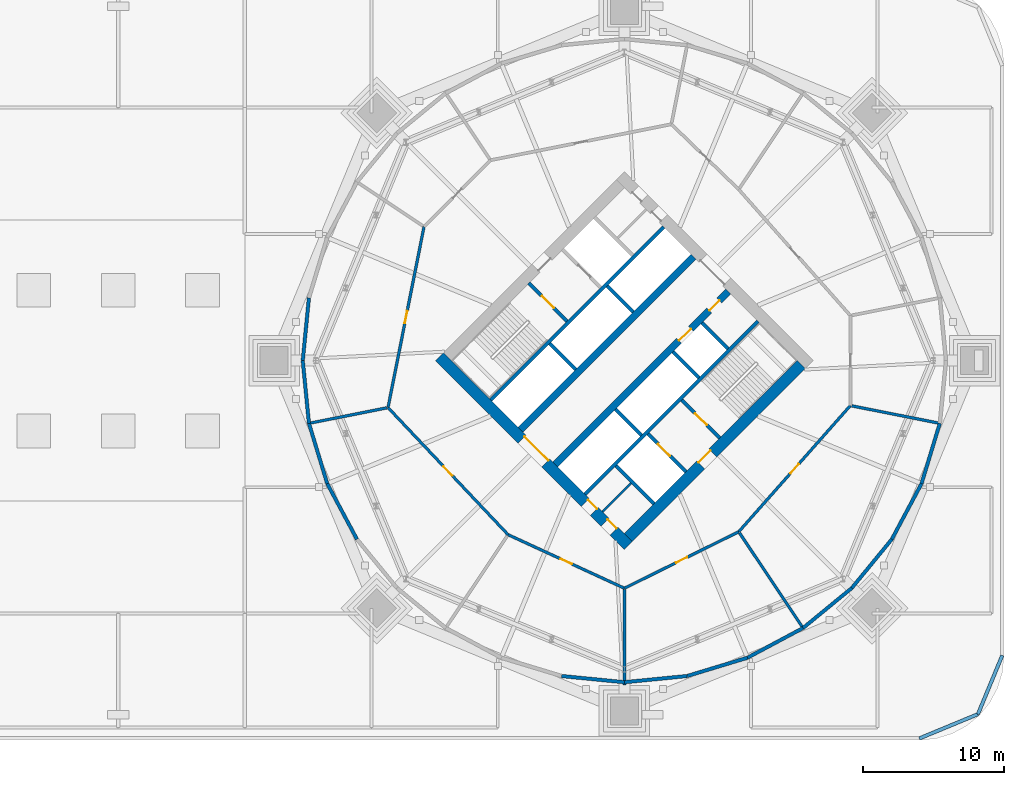
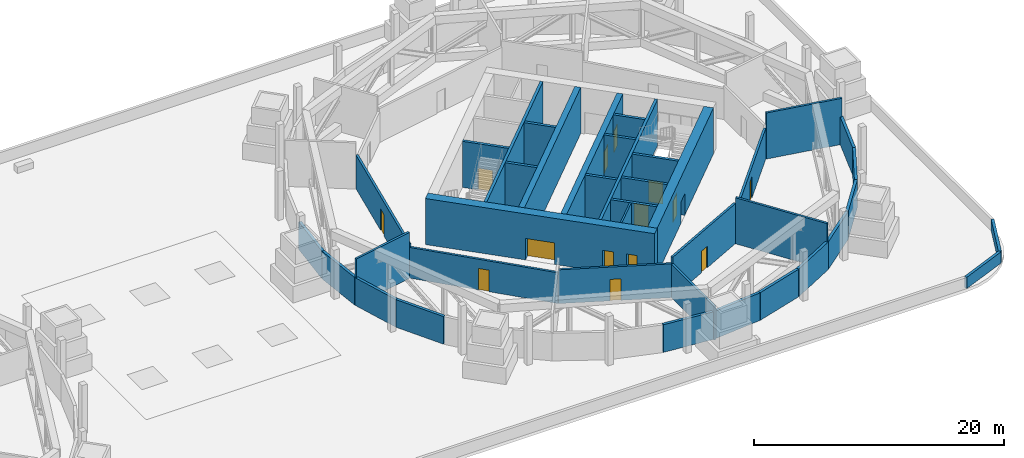
# One storey, part 15 of 21: 39 walls, 14 doors, 14 openings.
"""IFC4 building model written with IfcOpenShell, lengths in metres."""

from ifc_helpers import new_model, si_unit, direction, frame, frame_2d, origin, place, context, subcontext, project, spatial, rectangle, extrude, material, layer, layer_set, type_object, element, fill, save


model = new_model("IFC4")

# Units and contexts
model_context = context("Model", 3, precision=1e-05, world=origin(), true_north=direction((0.0, 1.0)))
body_context = subcontext(model_context, "Body", "Model", "MODEL_VIEW")
ifc_project = project(units=[si_unit("LENGTHUNIT", "METRE"), si_unit("AREAUNIT", "SQUARE_METRE"), si_unit("VOLUMEUNIT", "CUBIC_METRE"), si_unit("PLANEANGLEUNIT", "RADIAN"), si_unit("MASSUNIT", "GRAM", prefix="KILO")], contexts=[model_context])

# Site, building, storey
site_placement = place(None, origin())
site = spatial("IfcSite", under=ifc_project, at=site_placement, CompositionType="ELEMENT")
building_placement = place(site_placement, origin())
building = spatial("IfcBuilding", under=site, at=building_placement, Name="Ogive Gate Towers", CompositionType="ELEMENT")
storey_placement = place(building_placement, frame((0.0, 0.0, 27.60009765625)))
storey = spatial("IfcBuildingStorey", under=building, at=storey_placement, Name="L05", CompositionType="ELEMENT", Elevation=27.60009765625)

# Walls
ifc_material_1 = material(Name="Fire-rated block compartment wall")
ifc_layer_1 = layer(ifc_material_1, 0.199951171875)
ifc_layer_set_1 = layer_set([ifc_layer_1], Name="Compartment wall 200")
wall_type_1 = type_object("IfcWallType", Name="Compartment wall 200", PredefinedType="PARTITIONING", material=ifc_layer_set_1)
wall_1_placement = place(storey_placement, frame((13.54052734375, -4.467529296875, 0.0), z_axis=(0.0, 0.0, 1.0), x_axis=(0.980785889275, 0.195087260988, 0.0)))
element("IfcWall", 1, at=wall_1_placement, inside=storey, type_object=wall_type_1, Name="Partition T2-L05-006", PredefinedType="PARTITIONING", context=body_context, shape_type="SweptSolid", body=[
    extrude(rectangle(XDim=5.658935546875, YDim=0.199951171875, at=frame_2d((2.82958984375, 0.0))), origin(), (0.0, 0.0, 1.0), 4.5),
])
wall_2_placement = place(storey_placement, frame((36.0, -23.080078125, 0.0), z_axis=(0.0, 0.0, 1.0), x_axis=(0.0, 1.0, 0.0)))
element("IfcWall", 2, at=wall_2_placement, inside=storey, type_object=wall_type_1, Name="Partition T2-L05-008", PredefinedType="PARTITIONING", context=body_context, shape_type="SweptSolid", body=[
    extrude(rectangle(XDim=6.78955078125, YDim=0.199951171875, at=frame_2d((3.394775390625, 0.0))), origin(), (0.0, 0.0, 1.0), 3.2998046875),
])
wall_3_placement = place(storey_placement, frame((48.722412109375, -19.040283203125, 0.0), z_axis=(0.0, 0.0, 1.0), x_axis=(-0.555576856698, 0.831465186464, 0.0)))
element("IfcWall", 3, at=wall_3_placement, inside=storey, type_object=wall_type_1, Name="Partition T2-L05-009", PredefinedType="PARTITIONING", context=body_context, shape_type="SweptSolid", body=[
    extrude(rectangle(XDim=8.158935546875, YDim=0.199951171875, at=frame_2d((4.07958984375, 0.0))), origin(), (0.0, 0.0, 1.0), 4.5),
])
wall_4_placement = place(storey_placement, frame((58.45947265625, -4.467529296875, 0.0), z_axis=(0.0, 0.0, 1.0), x_axis=(-0.980788171944, 0.195075784694, 0.0)))
element("IfcWall", 4, at=wall_4_placement, inside=storey, type_object=wall_type_1, Name="Partition T2-L05-010", PredefinedType="PARTITIONING", context=body_context, shape_type="SweptSolid", body=[
    extrude(rectangle(XDim=6.408935546875, YDim=0.199951171875, at=frame_2d((3.20458984375, 0.0))), origin(), (0.0, 0.0, 1.0), 4.5),
])

# Wall, opening, door
wall_5_placement = place(storey_placement, frame((21.748291015625, 9.522705078125, 0.0), z_axis=(0.0, 0.0, 1.0), x_axis=(-0.195088897296, -0.980785563797, 0.0)))
wall_5 = element("IfcWall", 5, at=wall_5_placement, inside=storey, type_object=wall_type_1, Name="Partition T2-L05-015", PredefinedType="PARTITIONING", context=body_context, shape_type="SweptSolid", body=[
    extrude(rectangle(XDim=13.11865234375, YDim=0.199951171875, at=frame_2d((6.559326171875, 0.0))), origin(), (0.0, 0.0, 1.0), 3.2998046875),
])
opening_1_placement = place(wall_5_placement, frame((6.10888671875, 0.0, 0.0)))
opening_1 = element("IfcOpeningElement", 6, at=opening_1_placement, cuts=wall_5, Name="Opening T2-L05-D05", PredefinedType="OPENING", context=body_context, shape_type="SweptSolid", body=[
    extrude(rectangle(XDim=0.89990234375, YDim=2.10009765625, at=frame_2d((0.449951171875, 1.050048828125))), frame((0.0, 0.10986328125, 0.0), z_axis=(0.0, -1.0, 0.0), x_axis=(1.0, 0.0, 0.0)), (0.0, 0.0, 1.0), 0.219970703125),
])
ifc_material_2 = material(Name="Steel fire door", Category="steel")
door_type_1 = type_object("IfcDoorType", Name="Fire door 900 FD30S", OperationType="NOTDEFINED", PredefinedType="DOOR", material=ifc_material_2)
door_1_placement = place(opening_1_placement, origin())
door_1 = element("IfcDoor", 7, at=door_1_placement, inside=storey, type_object=door_type_1, Name="Door T2-L05-D05", OperationType="SINGLE_SWING_LEFT", OverallHeight=2.10009765625, OverallWidth=0.89990234375, PredefinedType="DOOR", context=body_context, shape_type="SweptSolid", body=[
    extrude(rectangle(XDim=0.89990234375, YDim=2.10009765625, at=frame_2d((0.449951171875, 1.050048828125))), frame((0.0, 0.02490234375, 0.0), z_axis=(0.0, -1.0, 0.0), x_axis=(1.0, 0.0, 0.0)), (0.0, 0.0, 1.0), 0.050048828125),
])
fill(opening_1, door_1)

wall_6_placement = place(storey_placement, frame((19.18896484375, -3.343994140625, 0.0), z_axis=(0.0, 0.0, 1.0), x_axis=(0.686763061189, -0.726881350556, 0.0)))
wall_6 = element("IfcWall", 8, at=wall_6_placement, inside=storey, type_object=wall_type_1, Name="Partition T2-L05-016", PredefinedType="PARTITIONING", context=body_context, shape_type="SweptSolid", body=[
    extrude(rectangle(XDim=12.4326171875, YDim=0.199951171875, at=frame_2d((6.21630859375, 0.0))), origin(), (0.0, 0.0, 1.0), 3.0),
])
opening_2_placement = place(wall_6_placement, frame((5.76611328125, 0.0, 0.0)))
opening_2 = element("IfcOpeningElement", 9, at=opening_2_placement, cuts=wall_6, Name="Opening T2-L05-D06", PredefinedType="OPENING", context=body_context, shape_type="SweptSolid", body=[
    extrude(rectangle(XDim=0.89990234375, YDim=2.10009765625, at=frame_2d((0.449951171875, 1.050048828125))), frame((0.0, 0.10986328125, 0.0), z_axis=(0.0, -1.0, 0.0), x_axis=(1.0, 0.0, 0.0)), (0.0, 0.0, 1.0), 0.219970703125),
])
door_2_placement = place(opening_2_placement, origin())
door_2 = element("IfcDoor", 10, at=door_2_placement, inside=storey, type_object=door_type_1, Name="Door T2-L05-D06", OperationType="SINGLE_SWING_LEFT", OverallHeight=2.10009765625, OverallWidth=0.89990234375, PredefinedType="DOOR", context=body_context, shape_type="SweptSolid", body=[
    extrude(rectangle(XDim=0.89990234375, YDim=2.10009765625, at=frame_2d((0.449951171875, 1.050048828125))), frame((0.0, 0.02490234375, 0.0), z_axis=(0.0, -1.0, 0.0), x_axis=(1.0, 0.0, 0.0)), (0.0, 0.0, 1.0), 0.050048828125),
])
fill(opening_2, door_2)

wall_7_placement = place(storey_placement, frame((27.727294921875, -12.381103515625, 0.0), z_axis=(0.0, 0.0, 1.0), x_axis=(0.908328564952, -0.418257358682, 0.0)))
wall_7 = element("IfcWall", 11, at=wall_7_placement, inside=storey, type_object=wall_type_1, Name="Partition T2-L05-017", PredefinedType="PARTITIONING", context=body_context, shape_type="SweptSolid", body=[
    extrude(rectangle(XDim=9.107666015625, YDim=0.199951171875, at=frame_2d((4.5537109375, 0.0))), origin(), (0.0, 0.0, 1.0), 3.2998046875),
])
opening_3_placement = place(wall_7_placement, frame((4.10400390625, 0.0, 0.0)))
opening_3 = element("IfcOpeningElement", 12, at=opening_3_placement, cuts=wall_7, Name="Opening T2-L05-D07", PredefinedType="OPENING", context=body_context, shape_type="SweptSolid", body=[
    extrude(rectangle(XDim=0.89990234375, YDim=2.10009765625, at=frame_2d((0.449951171875, 1.050048828125))), frame((0.0, 0.10986328125, 0.0), z_axis=(0.0, -1.0, 0.0), x_axis=(1.0, 0.0, 0.0)), (0.0, 0.0, 1.0), 0.219970703125),
])
door_3_placement = place(opening_3_placement, origin())
door_3 = element("IfcDoor", 13, at=door_3_placement, inside=storey, type_object=door_type_1, Name="Door T2-L05-D07", OperationType="SINGLE_SWING_LEFT", OverallHeight=2.10009765625, OverallWidth=0.89990234375, PredefinedType="DOOR", context=body_context, shape_type="SweptSolid", body=[
    extrude(rectangle(XDim=0.89990234375, YDim=2.10009765625, at=frame_2d((0.449951171875, 1.050048828125))), frame((0.0, 0.02490234375, 0.0), z_axis=(0.0, -1.0, 0.0), x_axis=(1.0, 0.0, 0.0)), (0.0, 0.0, 1.0), 0.050048828125),
])
fill(opening_3, door_3)

wall_8_placement = place(storey_placement, frame((36.0, -16.1904296875, 0.0), z_axis=(0.0, 0.0, 1.0), x_axis=(0.89660177117, 0.442837739963, 0.0)))
wall_8 = element("IfcWall", 14, at=wall_8_placement, inside=storey, type_object=wall_type_1, Name="Partition T2-L05-018", PredefinedType="PARTITIONING", context=body_context, shape_type="SweptSolid", body=[
    extrude(rectangle(XDim=9.07177734375, YDim=0.199951171875, at=frame_2d((4.535888671875, 0.0))), origin(), (0.0, 0.0, 1.0), 3.909912109375),
])
opening_4_placement = place(wall_8_placement, frame((4.0859375, 0.0, 0.0)))
opening_4 = element("IfcOpeningElement", 15, at=opening_4_placement, cuts=wall_8, Name="Opening T2-L05-D08", PredefinedType="OPENING", context=body_context, shape_type="SweptSolid", body=[
    extrude(rectangle(XDim=0.89990234375, YDim=2.10009765625, at=frame_2d((0.449951171875, 1.050048828125))), frame((0.0, 0.10986328125, 0.0), z_axis=(0.0, -1.0, 0.0), x_axis=(1.0, 0.0, 0.0)), (0.0, 0.0, 1.0), 0.219970703125),
])
door_4_placement = place(opening_4_placement, origin())
door_4 = element("IfcDoor", 16, at=door_4_placement, inside=storey, type_object=door_type_1, Name="Door T2-L05-D08", OperationType="SINGLE_SWING_RIGHT", OverallHeight=2.10009765625, OverallWidth=0.89990234375, PredefinedType="DOOR", context=body_context, shape_type="SweptSolid", body=[
    extrude(rectangle(XDim=0.89990234375, YDim=2.10009765625, at=frame_2d((0.449951171875, 1.050048828125))), frame((0.0, 0.02490234375, 0.0), z_axis=(0.0, -1.0, 0.0), x_axis=(1.0, 0.0, 0.0)), (0.0, 0.0, 1.0), 0.050048828125),
])
fill(opening_4, door_4)

wall_9_placement = place(storey_placement, frame((44.1337890625, -12.173095703125, 0.0), z_axis=(0.0, 0.0, 1.0), x_axis=(0.662653875427, 0.748925791638, 0.0)))
wall_9 = element("IfcWall", 17, at=wall_9_placement, inside=storey, type_object=wall_type_1, Name="Partition T2-L05-019", PredefinedType="PARTITIONING", context=body_context, shape_type="SweptSolid", body=[
    extrude(rectangle(XDim=11.984619140625, YDim=0.199951171875, at=frame_2d((5.9921875, 0.0))), origin(), (0.0, 0.0, 1.0), 3.0),
])
opening_5_placement = place(wall_9_placement, frame((5.5419921875, 0.0, 0.0)))
opening_5 = element("IfcOpeningElement", 18, at=opening_5_placement, cuts=wall_9, Name="Opening T2-L05-D09", PredefinedType="OPENING", context=body_context, shape_type="SweptSolid", body=[
    extrude(rectangle(XDim=0.89990234375, YDim=2.10009765625, at=frame_2d((0.449951171875, 1.050048828125))), frame((0.0, 0.10986328125, 0.0), z_axis=(0.0, -1.0, 0.0), x_axis=(1.0, 0.0, 0.0)), (0.0, 0.0, 1.0), 0.219970703125),
])
door_5_placement = place(opening_5_placement, origin())
door_5 = element("IfcDoor", 19, at=door_5_placement, inside=storey, type_object=door_type_1, Name="Door T2-L05-D09", OperationType="SINGLE_SWING_RIGHT", OverallHeight=2.10009765625, OverallWidth=0.89990234375, PredefinedType="DOOR", context=body_context, shape_type="SweptSolid", body=[
    extrude(rectangle(XDim=0.89990234375, YDim=2.10009765625, at=frame_2d((0.449951171875, 1.050048828125))), frame((0.0, 0.02490234375, 0.0), z_axis=(0.0, -1.0, 0.0), x_axis=(1.0, 0.0, 0.0)), (0.0, 0.0, 1.0), 0.050048828125),
])
fill(opening_5, door_5)

ifc_material_3 = material(Name="Concrete C60/75", Category="concrete")
ifc_layer_2 = layer(ifc_material_3, 0.800048828125)
ifc_layer_set_2 = layer_set([ifc_layer_2], Name="Core wall 800 mm")
wall_type_2 = type_object("IfcWallType", Name="Core wall 800 mm", PredefinedType="SHEAR", material=ifc_layer_set_2)
wall_10_placement = place(storey_placement, frame((36.28271484375, -12.58642578125, 0.0), z_axis=(0.0, 0.0, 1.0), x_axis=(0.707106781187, 0.707106781187, 0.0)))
wall_10 = element("IfcWall", 20, at=wall_10_placement, inside=storey, type_object=wall_type_2, Name="T2 L05 Core wall 800 mm", PredefinedType="SHEAR", context=body_context, shape_type="SweptSolid", body=[
    extrude(rectangle(XDim=17.400146484375, YDim=0.800048828125, at=frame_2d((8.7001953125, 0.0))), origin(), (0.0, 0.0, 1.0), 4.5),
])
opening_6_placement = place(wall_10_placement, frame((7.300048828125, 0.0, 0.0)))
opening_6 = element("IfcOpeningElement", 21, at=opening_6_placement, cuts=wall_10, Name="Opening KD-T2-L05-10", PredefinedType="OPENING", context=body_context, shape_type="SweptSolid", body=[
    extrude(rectangle(XDim=1.199951171875, YDim=2.10009765625, at=frame_2d((0.60009765625, 1.050048828125))), frame((0.0, 0.41015625, 0.0), z_axis=(0.0, -1.0, 0.0), x_axis=(1.0, 0.0, 0.0)), (0.0, 0.0, 1.0), 0.820068359375),
])
door_type_2 = type_object("IfcDoorType", Name="Core door FD60S 1200 x 2100", OperationType="NOTDEFINED", PredefinedType="DOOR", material=ifc_material_2)
door_6_placement = place(opening_6_placement, origin())
door_6 = element("IfcDoor", 22, at=door_6_placement, inside=storey, type_object=door_type_2, Name="T2 L05 Fire-fighting lobby door", OperationType="SINGLE_SWING_LEFT", OverallHeight=2.10009765625, OverallWidth=1.199951171875, PredefinedType="DOOR", context=body_context, shape_type="SweptSolid", body=[
    extrude(rectangle(XDim=1.199951171875, YDim=2.10009765625, at=frame_2d((0.60009765625, 1.050048828125))), frame((0.0, 0.27490234375, 0.0), z_axis=(0.0, -1.0, 0.0), x_axis=(1.0, 0.0, 0.0)), (0.0, 0.0, 1.0), 0.050048828125),
])
fill(opening_6, door_6)

# Wall, openings, doors
wall_11_placement = place(storey_placement, frame((36.28271484375, -13.152099609375, 0.0), z_axis=(0.0, 0.0, 1.0), x_axis=(-0.707106781187, 0.707106781187, 0.0)))
wall_11 = element("IfcWall", 23, at=wall_11_placement, inside=storey, type_object=wall_type_2, Name="T2 L05 Core wall 800 mm", PredefinedType="SHEAR", context=body_context, shape_type="SweptSolid", body=[
    extrude(rectangle(XDim=18.999755859375, YDim=0.800048828125, at=frame_2d((9.5, 0.0))), origin(), (0.0, 0.0, 1.0), 4.5),
])
opening_7_placement = place(wall_11_placement, frame((8.300048828125, 0.0, 0.0)))
opening_7 = element("IfcOpeningElement", 24, at=opening_7_placement, cuts=wall_11, Name="Opening KD-T2-L05-01", PredefinedType="OPENING", context=body_context, shape_type="SweptSolid", body=[
    extrude(rectangle(XDim=2.39990234375, YDim=2.10009765625, at=frame_2d((1.199951171875, 1.050048828125))), frame((0.0, 0.41015625, 0.0), z_axis=(0.0, -1.0, 0.0), x_axis=(1.0, 0.0, 0.0)), (0.0, 0.0, 1.0), 0.820068359375),
])
opening_8_placement = place(wall_11_placement, frame((1.449951171875, 0.0, 0.0)))
opening_8 = element("IfcOpeningElement", 25, at=opening_8_placement, cuts=wall_11, Name="Opening KD-T2-L05-13", PredefinedType="OPENING", context=body_context, shape_type="SweptSolid", body=[
    extrude(rectangle(XDim=0.89990234375, YDim=2.10009765625, at=frame_2d((0.449951171875, 1.050048828125))), frame((0.0, 0.41015625, 0.0), z_axis=(0.0, -1.0, 0.0), x_axis=(1.0, 0.0, 0.0)), (0.0, 0.0, 1.0), 0.820068359375),
])
opening_9_placement = place(wall_11_placement, frame((3.425048828125, 0.0, 0.0)))
opening_9 = element("IfcOpeningElement", 26, at=opening_9_placement, cuts=wall_11, Name="Opening KD-T2-L05-14", PredefinedType="OPENING", context=body_context, shape_type="SweptSolid", body=[
    extrude(rectangle(XDim=0.89990234375, YDim=2.10009765625, at=frame_2d((0.449951171875, 1.050048828125))), frame((0.0, 0.41015625, 0.0), z_axis=(0.0, -1.0, 0.0), x_axis=(1.0, 0.0, 0.0)), (0.0, 0.0, 1.0), 0.820068359375),
])
door_type_3 = type_object("IfcDoorType", Name="Core door FD60S 900 x 2100", OperationType="NOTDEFINED", PredefinedType="DOOR", material=ifc_material_2)
door_7_placement = place(opening_8_placement, origin())
door_7 = element("IfcDoor", 27, at=door_7_placement, inside=storey, type_object=door_type_3, Name="T2 L05 Core door", OperationType="SINGLE_SWING_RIGHT", OverallHeight=2.10009765625, OverallWidth=0.89990234375, PredefinedType="DOOR", context=body_context, shape_type="SweptSolid", body=[
    extrude(rectangle(XDim=0.89990234375, YDim=2.10009765625, at=frame_2d((0.449951171875, 1.050048828125))), frame((0.0, -0.22509765625, 0.0), z_axis=(0.0, -1.0, 0.0), x_axis=(1.0, 0.0, 0.0)), (0.0, 0.0, 1.0), 0.050048828125),
])
fill(opening_8, door_7)
door_8_placement = place(opening_9_placement, origin())
door_8 = element("IfcDoor", 28, at=door_8_placement, inside=storey, type_object=door_type_3, Name="T2 L05 Core door", OperationType="SINGLE_SWING_LEFT", OverallHeight=2.10009765625, OverallWidth=0.89990234375, PredefinedType="DOOR", context=body_context, shape_type="SweptSolid", body=[
    extrude(rectangle(XDim=0.89990234375, YDim=2.10009765625, at=frame_2d((0.449951171875, 1.050048828125))), frame((0.0, -0.22509765625, 0.0), z_axis=(0.0, -1.0, 0.0), x_axis=(1.0, 0.0, 0.0)), (0.0, 0.0, 1.0), 0.050048828125),
])
fill(opening_9, door_8)
door_type_4 = type_object("IfcDoorType", Name="Core double door FD60S 2400 x 2100", OperationType="DOUBLE_DOOR_SINGLE_SWING", PredefinedType="DOOR", material=ifc_material_2)
door_9_placement = place(opening_7_placement, origin())
door_9 = element("IfcDoor", 29, at=door_9_placement, inside=storey, type_object=door_type_4, Name="T2 L05 Core door double", OperationType="DOUBLE_DOOR_SINGLE_SWING", OverallHeight=2.10009765625, OverallWidth=2.39990234375, PredefinedType="DOOR", context=body_context, shape_type="SweptSolid", body=[
    extrude(rectangle(XDim=2.39990234375, YDim=2.10009765625, at=frame_2d((1.199951171875, 1.050048828125))), frame((0.0, -0.22509765625, 0.0), z_axis=(0.0, -1.0, 0.0), x_axis=(1.0, 0.0, 0.0)), (0.0, 0.0, 1.0), 0.050048828125),
])
fill(opening_7, door_9)

# Walls
ifc_material_4 = material(Name="Precast concrete C40/50", Category="concrete")
ifc_layer_3 = layer(ifc_material_4, 0.25)
ifc_layer_set_3 = layer_set([ifc_layer_3], Name="Parapet wall 1100")
wall_type_3 = type_object("IfcWallType", Name="Parapet wall 1100", PredefinedType="PARAPET", material=ifc_layer_set_3)
for number, where, z_axis, x_axis, name in (
    (30, (56.97509765625, -26.875, 0.0), (0.0, 0.0, 1.0), (0.923881087602, 0.382679678022, 0.0), "Parapet wall"),
    (31, (61.14697265625, -25.14697265625, 0.0), (0.0, 0.0, 1.0), (0.382679678022, 0.923881087602, 0.0), "Parapet wall"),
):
    element("IfcWall", number, at=place(storey_placement, frame(where, z_axis=z_axis, x_axis=x_axis)), inside=storey, type_object=wall_type_3, Name=name, PredefinedType="PARAPET", context=body_context, shape_type="SweptSolid", body=[
        extrude(rectangle(XDim=4.515625, YDim=0.25, at=frame_2d((2.2578125, 0.0))), origin(), (0.0, 0.0, 1.0), 1.099853515625),
    ])
ifc_material_5 = material(Name="Pale metal aluminium louvre", Category="aluminium")
ifc_layer_4 = layer(ifc_material_5, 0.25)
ifc_layer_set_4 = layer_set([ifc_layer_4], Name="Plant louvre wall")
wall_type_4 = type_object("IfcWallType", Name="Plant louvre wall", PredefinedType="SOLIDWALL", material=ifc_layer_set_4)
for number, where, z_axis, x_axis, name in (
    (32, (13.564697265625, 4.462646484375, 0.0), (0.0, 0.0, 1.0), (-0.098053571273, -0.995181137864, 0.0), "Plant louvre wall"),
    (33, (13.125, 0.0, 0.0), (0.0, 0.0, 1.0), (0.098053571273, -0.995181137864, 0.0), "Plant louvre wall"),
    (34, (13.564697265625, -4.462646484375, 0.0), (0.0, 0.0, 1.0), (0.290288433444, -0.956939196296, 0.0), "Plant louvre wall"),
):
    element("IfcWall", number, at=place(storey_placement, frame(where, z_axis=z_axis, x_axis=x_axis)), inside=storey, type_object=wall_type_4, Name=name, PredefinedType="SOLIDWALL", context=body_context, shape_type="SweptSolid", body=[
        extrude(rectangle(XDim=4.484375, YDim=0.25, at=frame_2d((2.2421875, 0.0))), origin(), (0.0, 0.0, 1.0), 2.699951171875),
    ])
wall_12_placement = place(storey_placement, frame((14.866455078125, -8.75390625, 0.0), z_axis=(0.0, 0.0, 1.0), x_axis=(0.471396254905, -0.88192152194, 0.0)))
element("IfcWall", 35, at=wall_12_placement, inside=storey, type_object=wall_type_4, Name="Plant louvre wall", PredefinedType="SOLIDWALL", context=body_context, shape_type="SweptSolid", body=[
    extrude(rectangle(XDim=4.484130859375, YDim=0.25, at=frame_2d((2.2421875, 0.0))), origin(), (0.0, 0.0, 1.0), 2.699951171875),
])
for number, where, z_axis, x_axis, name in (
    (36, (31.537353515625, -22.435302734375, 0.0), (0.0, 0.0, 1.0), (0.995181137864, -0.098053571273, 0.0), "Plant louvre wall"),
    (37, (36.0, -22.875, 0.0), (0.0, 0.0, 1.0), (0.995181137864, 0.098053571273, 0.0), "Plant louvre wall"),
    (38, (40.462646484375, -22.435302734375, 0.0), (0.0, 0.0, 1.0), (0.956939196296, 0.290288433444, 0.0), "Plant louvre wall"),
):
    element("IfcWall", number, at=place(storey_placement, frame(where, z_axis=z_axis, x_axis=x_axis)), inside=storey, type_object=wall_type_4, Name=name, PredefinedType="SOLIDWALL", context=body_context, shape_type="SweptSolid", body=[
        extrude(rectangle(XDim=4.484375, YDim=0.25, at=frame_2d((2.2421875, 0.0))), origin(), (0.0, 0.0, 1.0), 2.699951171875),
    ])
wall_13_placement = place(storey_placement, frame((44.75390625, -21.133544921875, 0.0), z_axis=(0.0, 0.0, 1.0), x_axis=(0.88192152194, 0.471396254905, 0.0)))
element("IfcWall", 39, at=wall_13_placement, inside=storey, type_object=wall_type_4, Name="Plant louvre wall", PredefinedType="SOLIDWALL", context=body_context, shape_type="SweptSolid", body=[
    extrude(rectangle(XDim=4.484130859375, YDim=0.25, at=frame_2d((2.2421875, 0.0))), origin(), (0.0, 0.0, 1.0), 2.699951171875),
])
for number, where, z_axis, x_axis, name in (
    (40, (48.70849609375, -19.019775390625, 0.0), (0.0, 0.0, 1.0), (0.773032296155, 0.634366667709, 0.0), "Plant louvre wall"),
    (41, (52.175048828125, -16.175048828125, 0.0), (0.0, 0.0, 1.0), (0.634366667709, 0.773032296155, 0.0), "Plant louvre wall"),
):
    element("IfcWall", number, at=place(storey_placement, frame(where, z_axis=z_axis, x_axis=x_axis)), inside=storey, type_object=wall_type_4, Name=name, PredefinedType="SOLIDWALL", context=body_context, shape_type="SweptSolid", body=[
        extrude(rectangle(XDim=4.484375, YDim=0.25, at=frame_2d((2.2421875, 0.0))), origin(), (0.0, 0.0, 1.0), 2.699951171875),
    ])
wall_14_placement = place(storey_placement, frame((55.019775390625, -12.70849609375, 0.0), z_axis=(0.0, 0.0, 1.0), x_axis=(0.471396254905, 0.88192152194, 0.0)))
element("IfcWall", 42, at=wall_14_placement, inside=storey, type_object=wall_type_4, Name="Plant louvre wall", PredefinedType="SOLIDWALL", context=body_context, shape_type="SweptSolid", body=[
    extrude(rectangle(XDim=4.484130859375, YDim=0.25, at=frame_2d((2.2421875, 0.0))), origin(), (0.0, 0.0, 1.0), 2.699951171875),
])
wall_15_placement = place(storey_placement, frame((57.133544921875, -8.75390625, 0.0), z_axis=(0.0, 0.0, 1.0), x_axis=(0.290288433444, 0.956939196296, 0.0)))
element("IfcWall", 43, at=wall_15_placement, inside=storey, type_object=wall_type_4, Name="Plant louvre wall", PredefinedType="SOLIDWALL", context=body_context, shape_type="SweptSolid", body=[
    extrude(rectangle(XDim=4.484375, YDim=0.25, at=frame_2d((2.2421875, 0.0))), origin(), (0.0, 0.0, 1.0), 2.699951171875),
])
ifc_material_6 = material(Name="Gypsum board partition")
ifc_layer_5 = layer(ifc_material_6, 0.14990234375)
ifc_layer_set_5 = layer_set([ifc_layer_5], Name="Room partition 150 mm")
wall_type_5 = type_object("IfcWallType", Name="Room partition 150 mm", PredefinedType="PARTITIONING", material=ifc_layer_set_5)
wall_16_placement = place(storey_placement, frame((34.4443359375, -10.748046875, 0.0), z_axis=(0.0, 0.0, 1.0), x_axis=(0.707106781187, 0.707106781187, 0.0)))
element("IfcWall", 44, at=wall_16_placement, inside=storey, type_object=wall_type_5, Name="T2 L05 Room partition 150 mm", PredefinedType="PARTITIONING", context=body_context, shape_type="SweptSolid", body=[
    extrude(rectangle(XDim=2.875, YDim=0.14990234375, at=frame_2d((1.4375, 0.0))), origin(), (0.0, 0.0, 1.0), 4.5),
])
ifc_layer_6 = layer(ifc_material_3, 0.25)
ifc_layer_set_6 = layer_set([ifc_layer_6], Name="Shaft wall 250 mm")
wall_type_6 = type_object("IfcWallType", Name="Shaft wall 250 mm", PredefinedType="SHEAR", material=ifc_layer_set_6)
for number, where, z_axis, x_axis, name in (
    (45, (33.206787109375, -9.510498046875, 0.0), (0.0, 0.0, 1.0), (0.707106781187, 0.707106781187, 0.0), "T2 L05 Shaft wall 250 mm"),
    (46, (26.489501953125, -2.793212890625, 0.0), (0.0, 0.0, 1.0), (0.707106781187, 0.707106781187, 0.0), "T2 L05 Shaft wall 250 mm"),
):
    element("IfcWall", number, at=place(storey_placement, frame(where, z_axis=z_axis, x_axis=x_axis)), inside=storey, type_object=wall_type_6, Name=name, PredefinedType="SHEAR", context=body_context, shape_type="SweptSolid", body=[
        extrude(rectangle(XDim=17.400146484375, YDim=0.25, at=frame_2d((8.7001953125, 0.0))), origin(), (0.0, 0.0, 1.0), 4.5),
    ])
wall_17_placement = place(storey_placement, frame((38.121337890625, -10.182373046875, 0.0), z_axis=(0.0, 0.0, 1.0), x_axis=(-0.707138693938, 0.707074866995, 0.0)))
element("IfcWall", 47, at=wall_17_placement, inside=storey, type_object=wall_type_6, Name="T2 L05 Shaft wall 250 mm", PredefinedType="SHEAR", context=body_context, shape_type="SweptSolid", body=[
    extrude(rectangle(XDim=3.824951171875, YDim=0.25, at=frame_2d((1.91259765625, 0.0))), origin(), (0.0, 0.0, 1.0), 4.5),
])
for number, where, z_axis, x_axis, name in (
    (48, (37.2197265625, -5.321044921875, 0.0), (0.0, 0.0, 1.0), (-0.707106781187, 0.707106781187, 0.0), "T2 L05 Shaft wall 250 mm"),
    (49, (32.53515625, -0.636474609375, 0.0), (0.0, 0.0, 1.0), (-0.707106781187, 0.707106781187, 0.0), "T2 L05 Shaft wall 250 mm"),
):
    element("IfcWall", number, at=place(storey_placement, frame(where, z_axis=z_axis, x_axis=x_axis)), inside=storey, type_object=wall_type_6, Name=name, PredefinedType="SHEAR", context=body_context, shape_type="SweptSolid", body=[
        extrude(rectangle(XDim=2.625, YDim=0.25, at=frame_2d((1.3125, 0.0))), origin(), (0.0, 0.0, 1.0), 4.5),
    ])

# Wall, opening, door
wall_18_placement = place(storey_placement, frame((40.384033203125, -7.919677734375, 0.0), z_axis=(0.0, 0.0, 1.0), x_axis=(-0.707074866995, 0.707138693938, 0.0)))
wall_18 = element("IfcWall", 50, at=wall_18_placement, inside=storey, type_object=wall_type_6, Name="T2 L05 Shaft wall 250 mm", PredefinedType="SHEAR", context=body_context, shape_type="SweptSolid", body=[
    extrude(rectangle(XDim=3.824951171875, YDim=0.25, at=frame_2d((1.91259765625, 0.0))), origin(), (0.0, 0.0, 1.0), 4.5),
])
opening_10_placement = place(wall_18_placement, frame((1.60009765625, 0.0, 0.0)))
opening_10 = element("IfcOpeningElement", 51, at=opening_10_placement, cuts=wall_18, Name="Opening LD-T2-L05-05", PredefinedType="OPENING", context=body_context, shape_type="SweptSolid", body=[
    extrude(rectangle(XDim=1.199951171875, YDim=2.10009765625, at=frame_2d((0.60009765625, 1.050048828125))), frame((0.0, 0.135009765625, 0.0), z_axis=(0.0, -1.0, 0.0), x_axis=(1.0, 0.0, 0.0)), (0.0, 0.0, 1.0), 0.27001953125),
])
ifc_material_7 = material(Name="Stainless steel landing door", Category="steel")
door_type_5 = type_object("IfcDoorType", Name="Landing door 1200 x 2100", OperationType="SLIDING_TO_LEFT", PredefinedType="DOOR", material=ifc_material_7)
door_10_placement = place(opening_10_placement, origin())
door_10 = element("IfcDoor", 52, at=door_10_placement, inside=storey, type_object=door_type_5, Name="T2 L05 Lift landing door FF2", OperationType="SLIDING_TO_LEFT", OverallHeight=2.10009765625, OverallWidth=1.199951171875, PredefinedType="DOOR", context=body_context, shape_type="SweptSolid", body=[
    extrude(rectangle(XDim=1.199951171875, YDim=2.10009765625, at=frame_2d((0.60009765625, 1.050048828125))), frame((0.0, 0.02490234375, 0.0), z_axis=(0.0, -1.0, 0.0), x_axis=(1.0, 0.0, 0.0)), (0.0, 0.0, 1.0), 0.050048828125),
])
fill(opening_10, door_10)

wall_19_placement = place(storey_placement, frame((31.91650390625, 2.810791015625, 0.0), z_axis=(0.0, 0.0, 1.0), x_axis=(-0.707106781187, 0.707106781187, 0.0)))
wall_19 = element("IfcWall", 53, at=wall_19_placement, inside=storey, type_object=wall_type_6, Name="T2 L05 Shaft wall 250 mm", PredefinedType="SHEAR", context=body_context, shape_type="SweptSolid", body=[
    extrude(rectangle(XDim=3.824951171875, YDim=0.25, at=frame_2d((1.91259765625, 0.0))), origin(), (0.0, 0.0, 1.0), 4.5),
])
opening_11_placement = place(wall_19_placement, frame((1.324951171875, 0.0, 0.0)))
opening_11 = element("IfcOpeningElement", 54, at=opening_11_placement, cuts=wall_19, Name="Opening KD-T2-L05-07", PredefinedType="OPENING", context=body_context, shape_type="SweptSolid", body=[
    extrude(rectangle(XDim=1.199951171875, YDim=2.10009765625, at=frame_2d((0.60009765625, 1.050048828125))), frame((0.0, 0.135009765625, 0.0), z_axis=(0.0, -1.0, 0.0), x_axis=(1.0, 0.0, 0.0)), (0.0, 0.0, 1.0), 0.27001953125),
])
door_11_placement = place(opening_11_placement, origin())
door_11 = element("IfcDoor", 55, at=door_11_placement, inside=storey, type_object=door_type_2, Name="T2 L05 Stair door", OperationType="SINGLE_SWING_RIGHT", OverallHeight=2.10009765625, OverallWidth=1.199951171875, PredefinedType="DOOR", context=body_context, shape_type="SweptSolid", body=[
    extrude(rectangle(XDim=1.199951171875, YDim=2.10009765625, at=frame_2d((0.60009765625, 1.050048828125))), frame((0.0, 0.02490234375, 0.0), z_axis=(0.0, -1.0, 0.0), x_axis=(1.0, 0.0, 0.0)), (0.0, 0.0, 1.0), 0.050048828125),
])
fill(opening_11, door_11)

wall_20_placement = place(storey_placement, frame((42.7880859375, -5.515380859375, 0.0), z_axis=(0.0, 0.0, 1.0), x_axis=(-0.707106781187, 0.707106781187, 0.0)))
wall_20 = element("IfcWall", 56, at=wall_20_placement, inside=storey, type_object=wall_type_6, Name="T2 L05 Shaft wall 250 mm", PredefinedType="SHEAR", context=body_context, shape_type="SweptSolid", body=[
    extrude(rectangle(XDim=3.824951171875, YDim=0.25, at=frame_2d((1.91259765625, 0.0))), origin(), (0.0, 0.0, 1.0), 4.5),
])
opening_12_placement = place(wall_20_placement, frame((1.300048828125, 0.0, 0.0)))
opening_12 = element("IfcOpeningElement", 57, at=opening_12_placement, cuts=wall_20, Name="Opening KD-T2-L05-08", PredefinedType="OPENING", context=body_context, shape_type="SweptSolid", body=[
    extrude(rectangle(XDim=1.199951171875, YDim=2.10009765625, at=frame_2d((0.60009765625, 1.050048828125))), frame((0.0, 0.135009765625, 0.0), z_axis=(0.0, -1.0, 0.0), x_axis=(1.0, 0.0, 0.0)), (0.0, 0.0, 1.0), 0.27001953125),
])
door_12_placement = place(opening_12_placement, origin())
door_12 = element("IfcDoor", 58, at=door_12_placement, inside=storey, type_object=door_type_2, Name="T2 L05 Stair door", OperationType="SINGLE_SWING_LEFT", OverallHeight=2.10009765625, OverallWidth=1.199951171875, PredefinedType="DOOR", context=body_context, shape_type="SweptSolid", body=[
    extrude(rectangle(XDim=1.199951171875, YDim=2.10009765625, at=frame_2d((0.60009765625, 1.050048828125))), frame((0.0, 0.02490234375, 0.0), z_axis=(0.0, -1.0, 0.0), x_axis=(1.0, 0.0, 0.0)), (0.0, 0.0, 1.0), 0.050048828125),
])
fill(opening_12, door_12)

# Walls
for number, where, z_axis, x_axis, name in (
    (59, (41.321044921875, -1.2197265625, 0.0), (0.0, 0.0, 1.0), (-0.707106781187, 0.707106781187, 0.0), "T2 L05 Shaft wall 250 mm"),
    (60, (36.636474609375, 3.46484375, 0.0), (0.0, 0.0, 1.0), (-0.707106781187, 0.707106781187, 0.0), "T2 L05 Shaft wall 250 mm"),
    (61, (43.37158203125, 0.830810546875, 0.0), (0.0, 0.0, 1.0), (-0.707106781187, 0.707106781187, 0.0), "T2 L05 Shaft wall 250 mm"),
):
    element("IfcWall", number, at=place(storey_placement, frame(where, z_axis=z_axis, x_axis=x_axis)), inside=storey, type_object=wall_type_6, Name=name, PredefinedType="SHEAR", context=body_context, shape_type="SweptSolid", body=[
        extrude(rectangle(XDim=2.625, YDim=0.25, at=frame_2d((1.3125, 0.0))), origin(), (0.0, 0.0, 1.0), 4.5),
    ])

# Wall, openings, doors
ifc_layer_7 = layer(ifc_material_3, 0.5)
ifc_layer_set_7 = layer_set([ifc_layer_7], Name="Spine wall 500 mm")
wall_type_7 = type_object("IfcWallType", Name="Spine wall 500 mm", PredefinedType="SHEAR", material=ifc_layer_set_7)
wall_21_placement = place(storey_placement, frame((31.085693359375, -7.389404296875, 0.0), z_axis=(0.0, 0.0, 1.0), x_axis=(0.707106781187, 0.707106781187, 0.0)))
wall_21 = element("IfcWall", 62, at=wall_21_placement, inside=storey, type_object=wall_type_7, Name="T2 L05 Spine wall 500 mm", PredefinedType="SHEAR", context=body_context, shape_type="SweptSolid", body=[
    extrude(rectangle(XDim=17.400146484375, YDim=0.5, at=frame_2d((8.7001953125, 0.0))), origin(), (0.0, 0.0, 1.0), 4.5),
])
opening_13_placement = place(wall_21_placement, frame((12.449951171875, 0.0, 0.0)))
opening_13 = element("IfcOpeningElement", 63, at=opening_13_placement, cuts=wall_21, Name="Opening LD-T2-L05-03", PredefinedType="OPENING", context=body_context, shape_type="SweptSolid", body=[
    extrude(rectangle(XDim=1.199951171875, YDim=2.10009765625, at=frame_2d((0.60009765625, 1.050048828125))), frame((0.0, 0.260009765625, 0.0), z_axis=(0.0, -1.0, 0.0), x_axis=(1.0, 0.0, 0.0)), (0.0, 0.0, 1.0), 0.52001953125),
])
opening_14_placement = place(wall_21_placement, frame((15.5, 0.0, 0.0)))
opening_14 = element("IfcOpeningElement", 64, at=opening_14_placement, cuts=wall_21, Name="Opening KD-T2-L05-06", PredefinedType="OPENING", context=body_context, shape_type="SweptSolid", body=[
    extrude(rectangle(XDim=1.0, YDim=2.10009765625, at=frame_2d((0.5, 1.050048828125))), frame((0.0, 0.260009765625, 0.0), z_axis=(0.0, -1.0, 0.0), x_axis=(1.0, 0.0, 0.0)), (0.0, 0.0, 1.0), 0.52001953125),
])
door_type_6 = type_object("IfcDoorType", Name="Core door FD60S 1000 x 2100", OperationType="NOTDEFINED", PredefinedType="DOOR", material=ifc_material_2)
door_13_placement = place(opening_14_placement, origin())
door_13 = element("IfcDoor", 65, at=door_13_placement, inside=storey, type_object=door_type_6, Name="T2 L05 Core door", OperationType="SINGLE_SWING_LEFT", OverallHeight=2.10009765625, OverallWidth=1.0, PredefinedType="DOOR", context=body_context, shape_type="SweptSolid", body=[
    extrude(rectangle(XDim=1.0, YDim=2.10009765625, at=frame_2d((0.5, 1.050048828125))), frame((0.0, 0.02490234375, 0.0), z_axis=(0.0, -1.0, 0.0), x_axis=(1.0, 0.0, 0.0)), (0.0, 0.0, 1.0), 0.050048828125),
])
fill(opening_14, door_13)
door_14_placement = place(opening_13_placement, origin())
door_14 = element("IfcDoor", 66, at=door_14_placement, inside=storey, type_object=door_type_5, Name="T2 L05 Lift landing door SVC", OperationType="SLIDING_TO_LEFT", OverallHeight=2.10009765625, OverallWidth=1.199951171875, PredefinedType="DOOR", context=body_context, shape_type="SweptSolid", body=[
    extrude(rectangle(XDim=1.199951171875, YDim=2.10009765625, at=frame_2d((0.60009765625, 1.050048828125))), frame((0.0, 0.02490234375, 0.0), z_axis=(0.0, -1.0, 0.0), x_axis=(1.0, 0.0, 0.0)), (0.0, 0.0, 1.0), 0.050048828125),
])
fill(opening_13, door_14)

# Wall
wall_22_placement = place(storey_placement, frame((28.610595703125, -4.914306640625, 0.0), z_axis=(0.0, 0.0, 1.0), x_axis=(0.707106781187, 0.707106781187, 0.0)))
element("IfcWall", 67, at=wall_22_placement, inside=storey, type_object=wall_type_7, Name="T2 L05 Spine wall 500 mm", PredefinedType="SHEAR", context=body_context, shape_type="SweptSolid", body=[
    extrude(rectangle(XDim=17.400146484375, YDim=0.5, at=frame_2d((8.7001953125, 0.0))), origin(), (0.0, 0.0, 1.0), 4.5),
])

save(model, "model.ifc")
